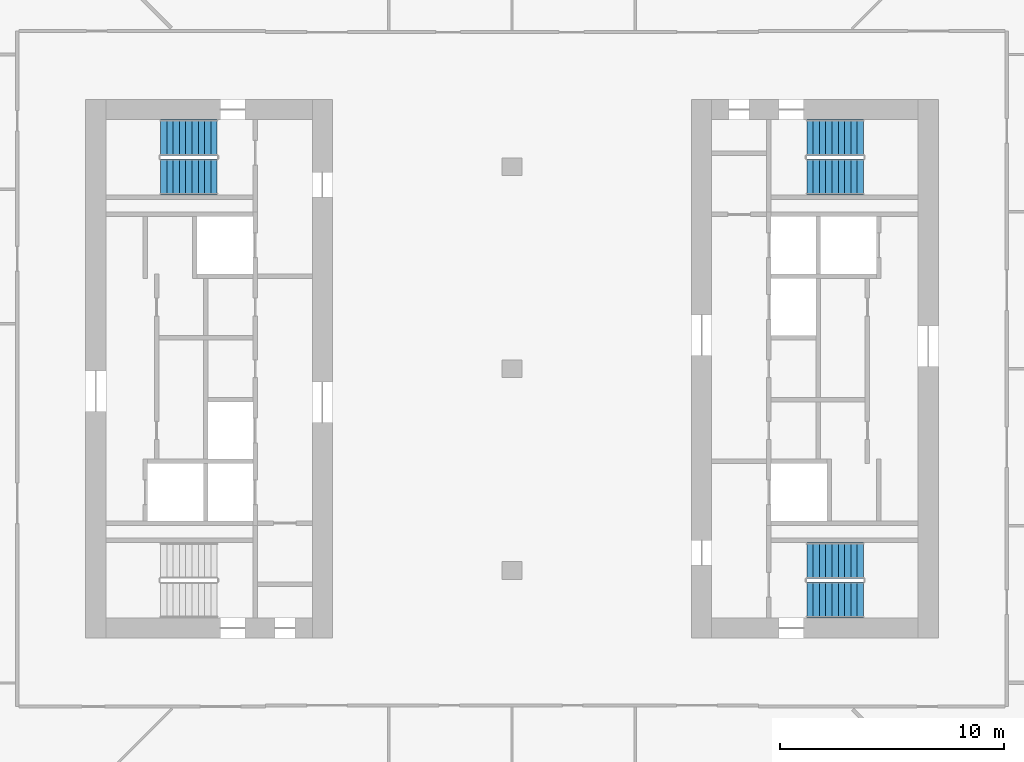
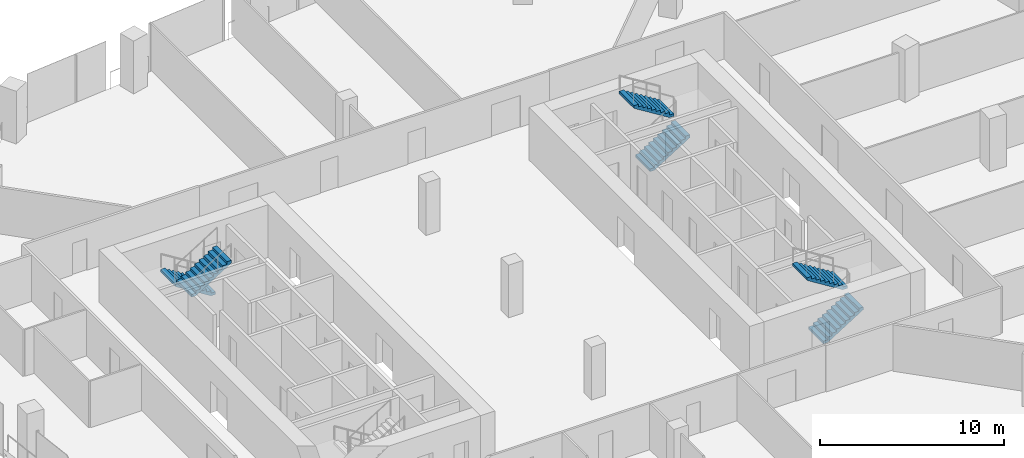
# One storey, part 20 of 24: 6 stair flights, 3 elements without a shape of their own.
"""IFC4 building model written with IfcOpenShell, lengths in metres."""

from ifc_helpers import new_model, si_unit, direction, frame, origin, place, context, subcontext, project, spatial, polyline, outline, extrude, material, type_object, element, aggregate, save


model = new_model("IFC4")

# Units and contexts
model_context = context("Model", 3, precision=1e-05, world=origin(), true_north=direction((0.0, 1.0)))
body_context = subcontext(model_context, "Body", "Model", "MODEL_VIEW")
ifc_project = project(units=[si_unit("LENGTHUNIT", "METRE"), si_unit("AREAUNIT", "SQUARE_METRE"), si_unit("VOLUMEUNIT", "CUBIC_METRE"), si_unit("PLANEANGLEUNIT", "RADIAN"), si_unit("MASSUNIT", "GRAM", prefix="KILO")], contexts=[model_context])

# Site, building, storey
site_placement = place(None, origin())
site = spatial("IfcSite", under=ifc_project, at=site_placement, CompositionType="ELEMENT")
building_placement = place(site_placement, origin())
building = spatial("IfcBuilding", under=site, at=building_placement, Name="Orlundy Tower", CompositionType="ELEMENT")
storey_placement = place(building_placement, frame((0.0, 0.0, 210.5)))
storey = spatial("IfcBuildingStorey", under=building, at=storey_placement, Name="L55", CompositionType="ELEMENT", Elevation=210.5)

# Stair, stair flights
ifc_material_1 = material(Name="Concrete C50/60", Category="concrete")
stair_type = type_object("IfcStairType", Name="Exit Stair 20 risers", PredefinedType="HALF_TURN_STAIR", material=ifc_material_1)
stair_1_placement = place(storey_placement, origin())
stair_1 = element("IfcStair", 1, at=stair_1_placement, inside=storey, type_object=stair_type, Name="L55 Exit Stair ST-W1", PredefinedType="HALF_TURN_STAIR")
ifc_material_2 = material(Name="Concrete C50/60", Category="concrete")
stair_flight_type = type_object("IfcStairFlightType", Name="Stair Flight 10 risers", PredefinedType="STRAIGHT", material=ifc_material_2)
stair_flight_1_placement = place(storey_placement, frame((-13.139892578125, 10.300048828125, 0.0), z_axis=(0.0, 0.0, 1.0), x_axis=(-1.0, 0.0, 0.0)))
stair_flight_1 = element("IfcStairFlight", 2, at=stair_flight_1_placement, type_object=stair_flight_type, Name="ST-W1 flight 1", NumberOfRisers=10, NumberOfTreads=9, PredefinedType="STRAIGHT", RiserHeight=0.175, TreadLength=0.28, context=body_context, shape_type="SweptSolid", body=[
    extrude(outline(polyline([(0.0, 0.0), (0.0, 0.175048828125), (0.280029296875, 0.175048828125), (0.280029296875, 0.35009765625), (0.56005859375, 0.35009765625), (0.56005859375, 0.52490234375), (0.840087890625, 0.52490234375), (0.840087890625, 0.699951171875), (1.1201171875, 0.699951171875), (1.1201171875, 0.875), (1.39990234375, 0.875), (1.39990234375, 1.050048828125), (1.679931640625, 1.050048828125), (1.679931640625, 1.22509765625), (1.9599609375, 1.22509765625), (1.9599609375, 1.39990234375), (2.239990234375, 1.39990234375), (2.239990234375, 1.574951171875), (2.52001953125, 1.574951171875), (2.52001953125, 1.75), (2.52001953125, 1.398193359375), (0.28271484375, 0.0), (0.0, 0.0)])), frame((0.0, 0.800048828125, 0.0), z_axis=(0.0, -1.0, 0.0), x_axis=(1.0, 0.0, 0.0)), (0.0, 0.0, 1.0), 1.60009765625),
])
stair_flight_2_placement = place(storey_placement, frame((-15.659912109375, 8.550048828125, 1.75), z_axis=(0.0, 0.0, 1.0), x_axis=(1.0, 0.0, 0.0)))
stair_flight_2 = element("IfcStairFlight", 3, at=stair_flight_2_placement, type_object=stair_flight_type, Name="ST-W1 flight 2", NumberOfRisers=10, NumberOfTreads=9, PredefinedType="STRAIGHT", RiserHeight=0.175, TreadLength=0.28, context=body_context, shape_type="SweptSolid", body=[
    extrude(outline(polyline([(0.0, 0.0), (0.0, 0.175048828125), (0.280029296875, 0.175048828125), (0.280029296875, 0.35009765625), (0.56005859375, 0.35009765625), (0.56005859375, 0.52490234375), (0.840087890625, 0.52490234375), (0.840087890625, 0.699951171875), (1.1201171875, 0.699951171875), (1.1201171875, 0.875), (1.39990234375, 0.875), (1.39990234375, 1.050048828125), (1.679931640625, 1.050048828125), (1.679931640625, 1.22509765625), (1.9599609375, 1.22509765625), (1.9599609375, 1.39990234375), (2.239990234375, 1.39990234375), (2.239990234375, 1.574951171875), (2.52001953125, 1.574951171875), (2.52001953125, 1.75), (2.52001953125, 1.398193359375), (0.28271484375, 0.0), (0.0, 0.0)])), frame((0.0, 0.800048828125, 0.0), z_axis=(0.0, -1.0, 0.0), x_axis=(1.0, 0.0, 0.0)), (0.0, 0.0, 1.0), 1.60009765625),
])
aggregate(stair_1, [stair_flight_1, stair_flight_2])

stair_2_placement = place(storey_placement, origin())
stair_2 = element("IfcStair", 4, at=stair_2_placement, inside=storey, type_object=stair_type, Name="L55 Exit Stair ST-E1", PredefinedType="HALF_TURN_STAIR")
stair_flight_3_placement = place(storey_placement, frame((13.139892578125, -10.300048828125, 0.0), z_axis=(0.0, 0.0, 1.0), x_axis=(1.0, 0.0, 0.0)))
stair_flight_3 = element("IfcStairFlight", 5, at=stair_flight_3_placement, type_object=stair_flight_type, Name="ST-E1 flight 1", NumberOfRisers=10, NumberOfTreads=9, PredefinedType="STRAIGHT", RiserHeight=0.175, TreadLength=0.28, context=body_context, shape_type="SweptSolid", body=[
    extrude(outline(polyline([(0.0, 0.0), (0.0, 0.175048828125), (0.280029296875, 0.175048828125), (0.280029296875, 0.35009765625), (0.56005859375, 0.35009765625), (0.56005859375, 0.52490234375), (0.840087890625, 0.52490234375), (0.840087890625, 0.699951171875), (1.1201171875, 0.699951171875), (1.1201171875, 0.875), (1.39990234375, 0.875), (1.39990234375, 1.050048828125), (1.679931640625, 1.050048828125), (1.679931640625, 1.22509765625), (1.9599609375, 1.22509765625), (1.9599609375, 1.39990234375), (2.239990234375, 1.39990234375), (2.239990234375, 1.574951171875), (2.52001953125, 1.574951171875), (2.52001953125, 1.75), (2.52001953125, 1.398193359375), (0.28271484375, 0.0), (0.0, 0.0)])), frame((0.0, 0.800048828125, 0.0), z_axis=(0.0, -1.0, 0.0), x_axis=(1.0, 0.0, 0.0)), (0.0, 0.0, 1.0), 1.60009765625),
])
stair_flight_4_placement = place(storey_placement, frame((15.659912109375, -8.550048828125, 1.75), z_axis=(0.0, 0.0, 1.0), x_axis=(-1.0, 0.0, 0.0)))
stair_flight_4 = element("IfcStairFlight", 6, at=stair_flight_4_placement, type_object=stair_flight_type, Name="ST-E1 flight 2", NumberOfRisers=10, NumberOfTreads=9, PredefinedType="STRAIGHT", RiserHeight=0.175, TreadLength=0.28, context=body_context, shape_type="SweptSolid", body=[
    extrude(outline(polyline([(0.0, 0.0), (0.0, 0.175048828125), (0.280029296875, 0.175048828125), (0.280029296875, 0.35009765625), (0.56005859375, 0.35009765625), (0.56005859375, 0.52490234375), (0.840087890625, 0.52490234375), (0.840087890625, 0.699951171875), (1.1201171875, 0.699951171875), (1.1201171875, 0.875), (1.39990234375, 0.875), (1.39990234375, 1.050048828125), (1.679931640625, 1.050048828125), (1.679931640625, 1.22509765625), (1.9599609375, 1.22509765625), (1.9599609375, 1.39990234375), (2.239990234375, 1.39990234375), (2.239990234375, 1.574951171875), (2.52001953125, 1.574951171875), (2.52001953125, 1.75), (2.52001953125, 1.398193359375), (0.28271484375, 0.0), (0.0, 0.0)])), frame((0.0, 0.800048828125, 0.0), z_axis=(0.0, -1.0, 0.0), x_axis=(1.0, 0.0, 0.0)), (0.0, 0.0, 1.0), 1.60009765625),
])
aggregate(stair_2, [stair_flight_3, stair_flight_4])

stair_3_placement = place(storey_placement, origin())
stair_3 = element("IfcStair", 7, at=stair_3_placement, inside=storey, type_object=stair_type, Name="L55 Exit Stair ST-E2", PredefinedType="HALF_TURN_STAIR")
stair_flight_5_placement = place(storey_placement, frame((13.139892578125, 8.550048828125, 0.0), z_axis=(0.0, 0.0, 1.0), x_axis=(1.0, 0.0, 0.0)))
stair_flight_5 = element("IfcStairFlight", 8, at=stair_flight_5_placement, type_object=stair_flight_type, Name="ST-E2 flight 1", NumberOfRisers=10, NumberOfTreads=9, PredefinedType="STRAIGHT", RiserHeight=0.175, TreadLength=0.28, context=body_context, shape_type="SweptSolid", body=[
    extrude(outline(polyline([(0.0, 0.0), (0.0, 0.175048828125), (0.280029296875, 0.175048828125), (0.280029296875, 0.35009765625), (0.56005859375, 0.35009765625), (0.56005859375, 0.52490234375), (0.840087890625, 0.52490234375), (0.840087890625, 0.699951171875), (1.1201171875, 0.699951171875), (1.1201171875, 0.875), (1.39990234375, 0.875), (1.39990234375, 1.050048828125), (1.679931640625, 1.050048828125), (1.679931640625, 1.22509765625), (1.9599609375, 1.22509765625), (1.9599609375, 1.39990234375), (2.239990234375, 1.39990234375), (2.239990234375, 1.574951171875), (2.52001953125, 1.574951171875), (2.52001953125, 1.75), (2.52001953125, 1.398193359375), (0.28271484375, 0.0), (0.0, 0.0)])), frame((0.0, 0.800048828125, 0.0), z_axis=(0.0, -1.0, 0.0), x_axis=(1.0, 0.0, 0.0)), (0.0, 0.0, 1.0), 1.60009765625),
])
stair_flight_6_placement = place(storey_placement, frame((15.659912109375, 10.300048828125, 1.75), z_axis=(0.0, 0.0, 1.0), x_axis=(-1.0, 0.0, 0.0)))
stair_flight_6 = element("IfcStairFlight", 9, at=stair_flight_6_placement, type_object=stair_flight_type, Name="ST-E2 flight 2", NumberOfRisers=10, NumberOfTreads=9, PredefinedType="STRAIGHT", RiserHeight=0.175, TreadLength=0.28, context=body_context, shape_type="SweptSolid", body=[
    extrude(outline(polyline([(0.0, 0.0), (0.0, 0.175048828125), (0.280029296875, 0.175048828125), (0.280029296875, 0.35009765625), (0.56005859375, 0.35009765625), (0.56005859375, 0.52490234375), (0.840087890625, 0.52490234375), (0.840087890625, 0.699951171875), (1.1201171875, 0.699951171875), (1.1201171875, 0.875), (1.39990234375, 0.875), (1.39990234375, 1.050048828125), (1.679931640625, 1.050048828125), (1.679931640625, 1.22509765625), (1.9599609375, 1.22509765625), (1.9599609375, 1.39990234375), (2.239990234375, 1.39990234375), (2.239990234375, 1.574951171875), (2.52001953125, 1.574951171875), (2.52001953125, 1.75), (2.52001953125, 1.398193359375), (0.28271484375, 0.0), (0.0, 0.0)])), frame((0.0, 0.800048828125, 0.0), z_axis=(0.0, -1.0, 0.0), x_axis=(1.0, 0.0, 0.0)), (0.0, 0.0, 1.0), 1.60009765625),
])
aggregate(stair_3, [stair_flight_5, stair_flight_6])

save(model, "model.ifc")
